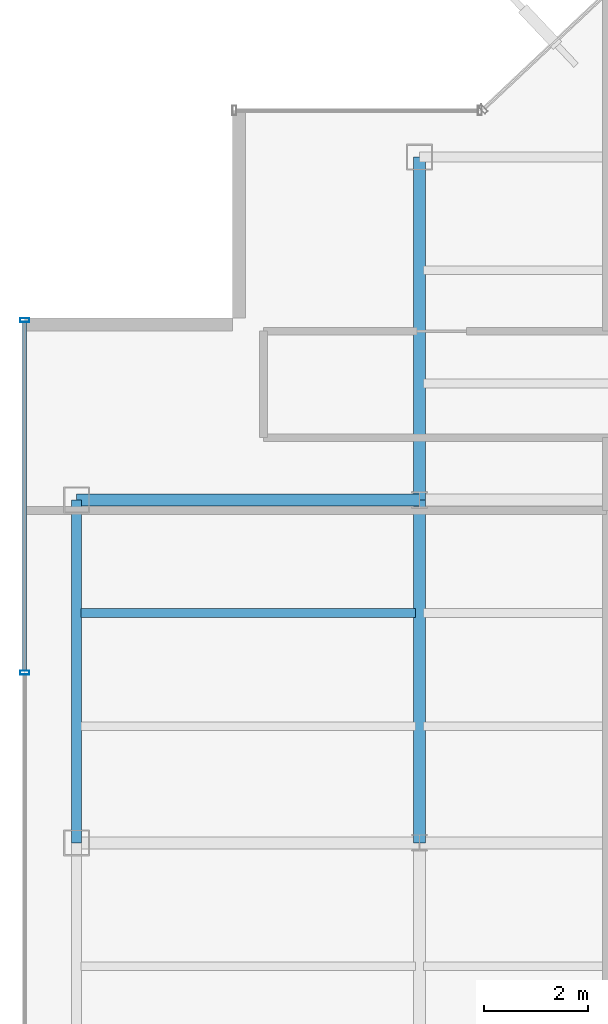
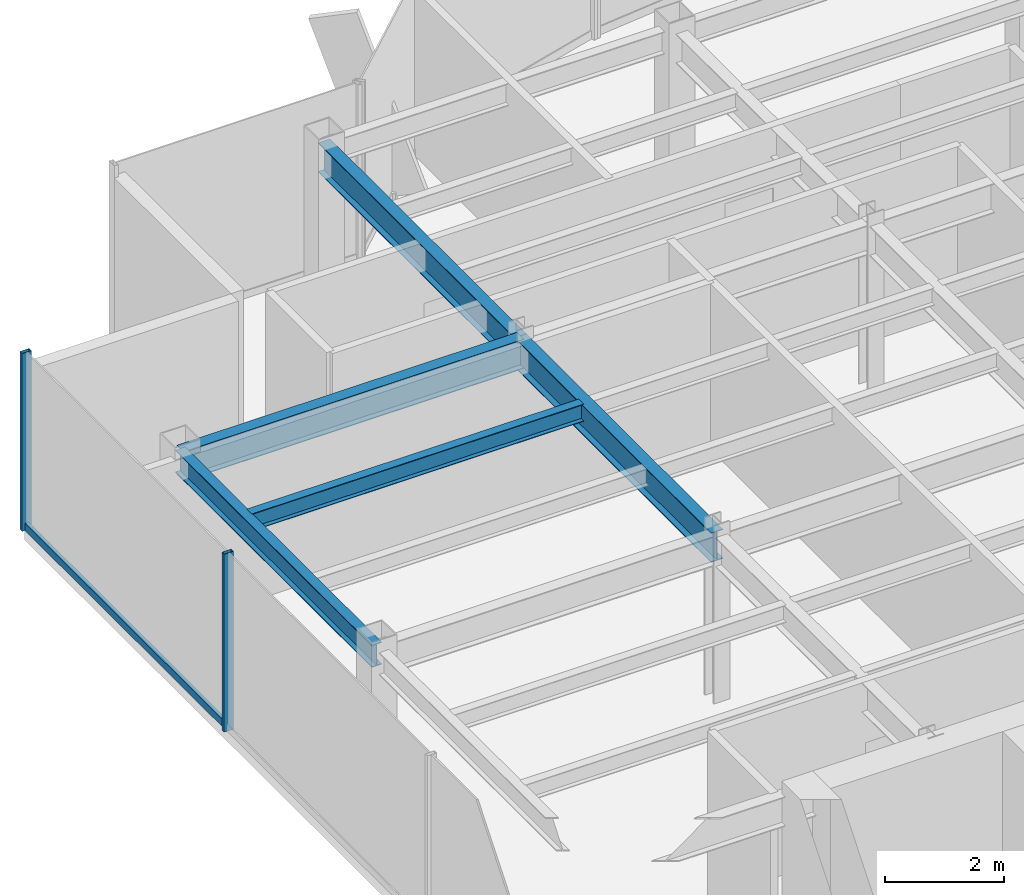
# One storey, part 7 of 22: 5 beams, 3 members, 1 element without a shape of its own.
"""IFC4 building model written with IfcOpenShell, lengths in metres."""

from ifc_helpers import new_model, si_unit, derived_unit, direction, frame, origin, origin_2d, place, context, subcontext, project, spatial, hollow_rectangle, i_section, extrude, source, transform, mapped, material, material_profile, profile_set, type_object, element, aggregate, save


model = new_model("IFC4")

# Units and contexts
model_context = context("Model", 3, precision=1e-05, world=origin(), true_north=direction((0.0, 1.0)))
body_context = subcontext(model_context, "Body", "Model", "MODEL_VIEW")
ifc_project = project(units=[si_unit("LENGTHUNIT", "METRE"), si_unit("AREAUNIT", "SQUARE_METRE"), si_unit("VOLUMEUNIT", "CUBIC_METRE"), si_unit("PLANEANGLEUNIT", "RADIAN"), si_unit("MASSUNIT", "GRAM", prefix="KILO"), derived_unit("THERMALTRANSMITTANCEUNIT", [(si_unit("POWERUNIT", "WATT"), 1), (si_unit("LENGTHUNIT", "METRE"), -2), (si_unit("THERMODYNAMICTEMPERATUREUNIT", "KELVIN"), -1)])], contexts=[model_context])

# Site, building, storey
site_placement = place(None, origin())
site = spatial("IfcSite", under=ifc_project, at=site_placement, CompositionType="ELEMENT")
building_placement = place(site_placement, origin())
building = spatial("IfcBuilding", under=site, at=building_placement, Name="Skarnbrae Concourse Arena and Tower", CompositionType="ELEMENT")
storey_placement = place(building_placement, frame((0.0, 0.0, 214.14990234375)))
storey = spatial("IfcBuildingStorey", under=building, at=storey_placement, Name="L55", CompositionType="ELEMENT", Elevation=214.14990234375)

# Beams
ifc_material_1 = material(Name="Steel CSA G40.21 350W", Category="steel")
ifc_material_profile_1 = material_profile(ifc_material_1, i_section(OverallWidth=0.22802734375, OverallDepth=0.60791015625, WebThickness=0.01123046875, FlangeThickness=0.017333984375, at=origin_2d()), Name="W610X113")
ifc_profile_set_1 = profile_set([ifc_material_profile_1], Name="Steel CSA G40.21 350W")
beam_type_1 = type_object("IfcBeamType", Name="BM-GIRD-W610X113", PredefinedType="BEAM", material=ifc_profile_set_1)
shared_shape_1 = source(origin(), body_context, "Body", "SweptSolid", [
    extrude(i_section(OverallWidth=0.22802734375, OverallDepth=0.60791015625, WebThickness=0.01123046875, FlangeThickness=0.017333984375, at=origin_2d()), origin(), (0.0, 0.0, 1.0), 6.60009765625),
])
for number, where, z_axis, x_axis, name in (
    (1, (1.0, 27.800048828125, 3.09619140625), (1.0, 0.0, 0.0), (0.0, 1.0, 0.0), "L55 Primary E-W girder Y27.8-1"),
    (2, (7.60009765625, 21.199951171875, 3.09619140625), (0.0, 1.0, 0.0), (-1.0, 0.0, 0.0), "L55 Primary N-S girder X7.6-2"),
):
    element("IfcBeam", number, at=place(storey_placement, frame(where, z_axis=z_axis, x_axis=x_axis)), inside=storey, type_object=beam_type_1, Name=name, PredefinedType="BEAM", context=body_context, shape_type="MappedRepresentation", body=[
        mapped(shared_shape_1, transform((0.0, 0.0, 0.0))),
    ])
ifc_material_profile_2 = material_profile(ifc_material_1, i_section(OverallWidth=0.19091796875, OverallDepth=0.4599609375, WebThickness=0.010009765625, FlangeThickness=0.01611328125, at=origin_2d()), Name="W460X82")
ifc_profile_set_2 = profile_set([ifc_material_profile_2], Name="Steel CSA G40.21 350W")
beam_type_2 = type_object("IfcBeamType", Name="BM-SPAN-W460X82", PredefinedType="SPANDREL", material=ifc_profile_set_2)
shared_shape_2 = source(origin(), body_context, "Body", "SweptSolid", [
    extrude(i_section(OverallWidth=0.19091796875, OverallDepth=0.4599609375, WebThickness=0.010009765625, FlangeThickness=0.01611328125, at=origin_2d()), origin(), (0.0, 0.0, 1.0), 6.60009765625),
])
beam_1_placement = place(storey_placement, frame((1.0, 21.199951171875, 3.170166015625), z_axis=(0.0, 1.0, 0.0), x_axis=(-1.0, 0.0, 0.0)))
element("IfcBeam", 3, at=beam_1_placement, inside=storey, type_object=beam_type_2, Name="L55 Perimeter spandrel X1.0-3", PredefinedType="SPANDREL", context=body_context, shape_type="MappedRepresentation", body=[
    mapped(shared_shape_2, transform((0.0, 0.0, 0.0))),
])
shared_shape_3 = source(origin(), body_context, "Body", "SweptSolid", [
    extrude(i_section(OverallWidth=0.22802734375, OverallDepth=0.60791015625, WebThickness=0.01123046875, FlangeThickness=0.017333984375, at=origin_2d()), origin(), (0.0, 0.0, 1.0), 6.599853515625),
])
beam_2_placement = place(storey_placement, frame((7.60009765625, 27.800048828125, 3.09619140625), z_axis=(0.0, 1.0, 0.0), x_axis=(-1.0, 0.0, 0.0)))
element("IfcBeam", 4, at=beam_2_placement, inside=storey, type_object=beam_type_1, Name="L55 Primary N-S girder X7.6-3", PredefinedType="BEAM", context=body_context, shape_type="MappedRepresentation", body=[
    mapped(shared_shape_3, transform((0.0, 0.0, 0.0))),
])
ifc_material_profile_3 = material_profile(ifc_material_1, i_section(OverallWidth=0.1708984375, OverallDepth=0.35498046875, WebThickness=0.007080078125, FlangeThickness=0.01171875, at=origin_2d()), Name="W360X51")
ifc_profile_set_3 = profile_set([ifc_material_profile_3], Name="Steel CSA G40.21 350W")
beam_type_3 = type_object("IfcBeamType", Name="BM-JOIST-W360X51", PredefinedType="JOIST", material=ifc_profile_set_3)
shared_shape_4 = source(origin(), body_context, "Body", "SweptSolid", [
    extrude(i_section(OverallWidth=0.1708984375, OverallDepth=0.35498046875, WebThickness=0.007080078125, FlangeThickness=0.01171875, at=origin_2d()), origin(), (0.0, 0.0, 1.0), 6.43994140625),
])
beam_3_placement = place(storey_placement, frame((1.080078125, 25.6220703125, 3.22265625), z_axis=(1.0, 0.0, 0.0), x_axis=(0.0, 1.0, 0.0)))
element("IfcBeam", 5, at=beam_3_placement, inside=storey, type_object=beam_type_3, Name="L55 Secondary floor joist 2.2.1", PredefinedType="JOIST", context=body_context, shape_type="MappedRepresentation", body=[
    mapped(shared_shape_4, transform((0.0, 0.0, 0.0))),
])

# Curtain wall, members
ifc_material_2 = material(Name="Bronze anodised aluminium 6063-T6", Category="aluminium")
curtain_wall_type = type_object("IfcCurtainWallType", Name="CW-SYS-05-HIGHZONE", PredefinedType="USERDEFINED", material=ifc_material_2)
curtain_wall_placement = place(storey_placement, origin())
curtain_wall = element("IfcCurtainWall", 6, at=curtain_wall_placement, inside=storey, type_object=curtain_wall_type, Name="L55 Unitised curtain wall CW-L55-E18", ObjectType="UNITISED CURTAIN WALL", PredefinedType="USERDEFINED")
ifc_material_profile_4 = material_profile(ifc_material_2, hollow_rectangle(XDim=0.074951171875, YDim=0.14990234375, WallThickness=0.00390625, at=origin_2d()), Name="ALU-TRAN-75X150")
ifc_profile_set_4 = profile_set([ifc_material_profile_4], Name="Bronze anodised aluminium 6063-T6")
member_type_1 = type_object("IfcMemberType", Name="CWT-CW-05", PredefinedType="USERDEFINED", material=ifc_profile_set_4)
shared_shape_5 = source(origin(), body_context, "Body", "SweptSolid", [
    extrude(hollow_rectangle(XDim=0.074951171875, YDim=0.14990234375, WallThickness=0.00390625, at=origin_2d()), origin(), (0.0, 0.0, 1.0), 6.712646484375),
])
member_1_placement = place(storey_placement, frame((0.0, 31.22509765625, 0.0751953125), z_axis=(0.0, -1.0, 0.0), x_axis=(1.0, 0.0, 0.0)))
member_1 = element("IfcMember", 7, at=member_1_placement, type_object=member_type_1, Name="CW-L55-E18 Transom 1", ObjectType="TRANSOM", PredefinedType="USERDEFINED", context=body_context, shape_type="MappedRepresentation", body=[
    mapped(shared_shape_5, transform((0.0, 0.0, 0.0))),
])
ifc_material_profile_5 = material_profile(ifc_material_2, hollow_rectangle(XDim=0.074951171875, YDim=0.179931640625, WallThickness=0.00390625, at=origin_2d()), Name="ALU-MULL-75X180")
ifc_profile_set_5 = profile_set([ifc_material_profile_5], Name="Bronze anodised aluminium 6063-T6")
member_type_2 = type_object("IfcMemberType", Name="CWM-CW-05", PredefinedType="MULLION", material=ifc_profile_set_5)
shared_shape_6 = source(origin(), body_context, "Body", "SweptSolid", [
    extrude(hollow_rectangle(XDim=0.074951171875, YDim=0.179931640625, WallThickness=0.00390625, at=origin_2d()), origin(), (0.0, 0.0, 1.0), 3.650146484375),
])
member_2_placement = place(storey_placement, frame((0.0, 31.262451171875, 0.0), z_axis=(0.0, 0.0, 1.0), x_axis=(0.0, -1.0, 0.0)))
member_2 = element("IfcMember", 8, at=member_2_placement, type_object=member_type_2, Name="CW-L55-E18 Mullion 1", PredefinedType="MULLION", context=body_context, shape_type="MappedRepresentation", body=[
    mapped(shared_shape_6, transform((0.0, 0.0, 0.0))),
])
member_3_placement = place(storey_placement, frame((0.0, 24.47509765625, 0.0), z_axis=(0.0, 0.0, 1.0), x_axis=(0.0, -1.0, 0.0)))
member_3 = element("IfcMember", 9, at=member_3_placement, type_object=member_type_2, Name="CW-L55-E18 Mullion 2", PredefinedType="MULLION", context=body_context, shape_type="MappedRepresentation", body=[
    mapped(shared_shape_6, transform((0.0, 0.0, 0.0))),
])
aggregate(curtain_wall, [member_2, member_3, member_1])

save(model, "model.ifc")
